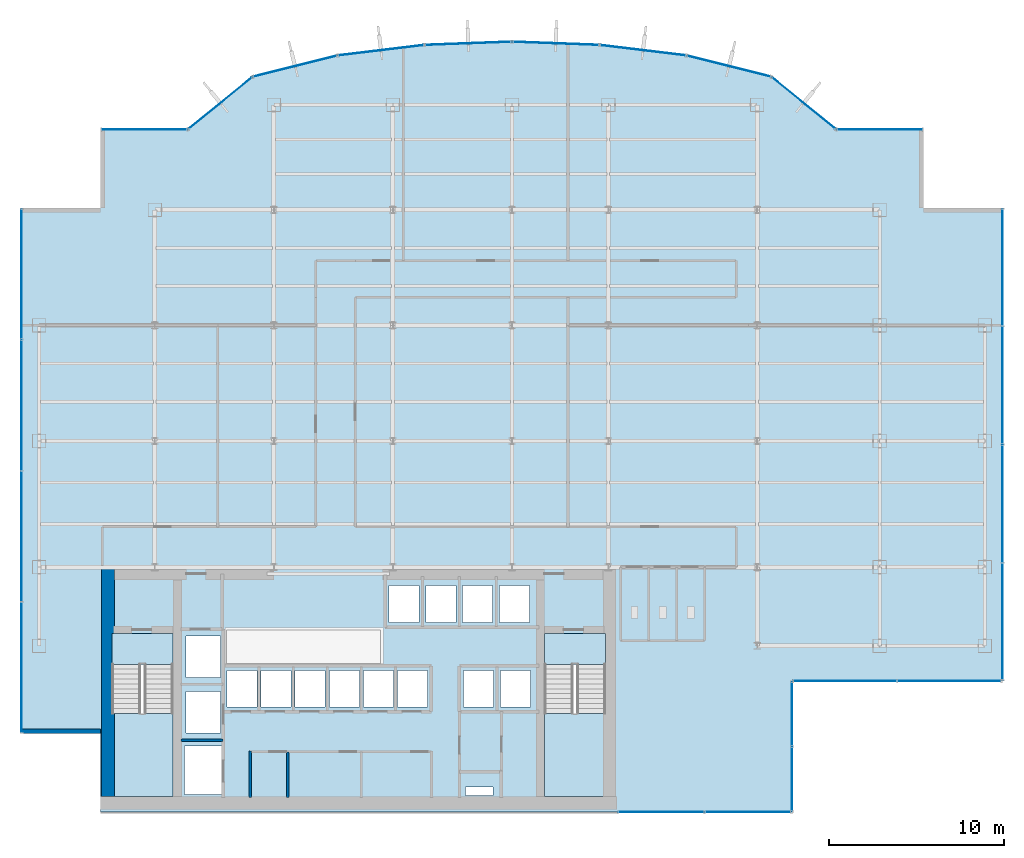
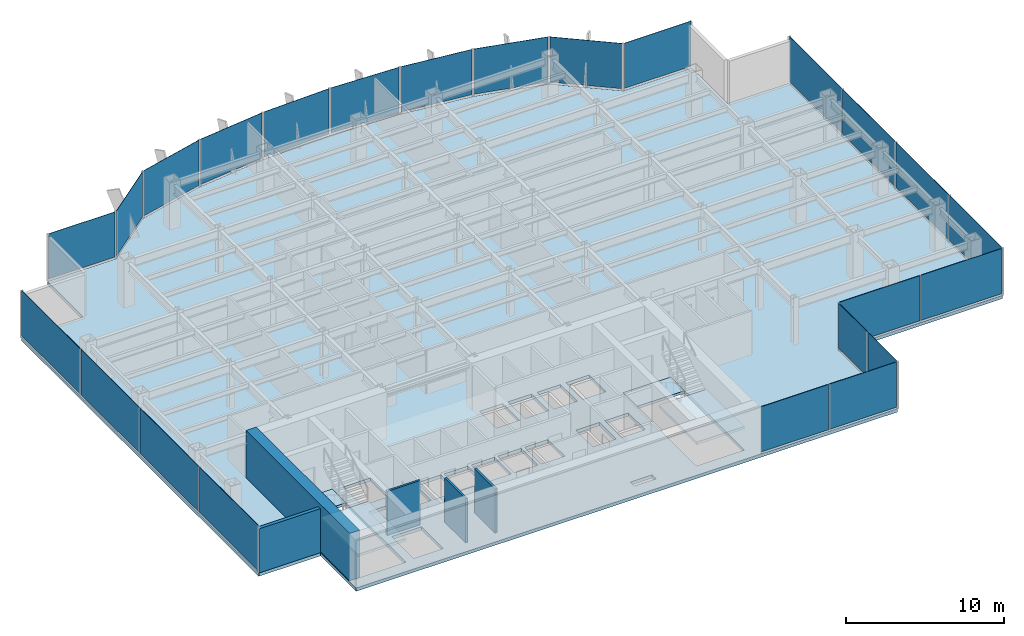
# One storey, part 20 of 26: 24 plates, 5 slabs, 5 walls, 17 elements without a shape of their own.
"""IFC4 building model written with IfcOpenShell, lengths in metres."""

from ifc_helpers import new_model, si_unit, derived_unit, direction, frame, frame_2d, origin, origin_2d, place, context, subcontext, project, spatial, polyline, rectangle, outline, extrude, source, transform, mapped, material, layer, layer_set, type_object, element, aggregate, save


model = new_model("IFC4")

# Units and contexts
model_context = context("Model", 3, precision=1e-05, world=origin(), true_north=direction((0.0, 1.0)))
body_context = subcontext(model_context, "Body", "Model", "MODEL_VIEW")
ifc_project = project(units=[si_unit("LENGTHUNIT", "METRE"), si_unit("AREAUNIT", "SQUARE_METRE"), si_unit("VOLUMEUNIT", "CUBIC_METRE"), si_unit("PLANEANGLEUNIT", "RADIAN"), si_unit("MASSUNIT", "GRAM", prefix="KILO"), derived_unit("THERMALTRANSMITTANCEUNIT", [(si_unit("POWERUNIT", "WATT"), 1), (si_unit("LENGTHUNIT", "METRE"), -2), (si_unit("THERMODYNAMICTEMPERATUREUNIT", "KELVIN"), -1)])], contexts=[model_context])

# Site, building, storey
site_placement = place(None, origin())
site = spatial("IfcSite", under=ifc_project, at=site_placement, CompositionType="ELEMENT")
building_placement = place(site_placement, origin())
building = spatial("IfcBuilding", under=site, at=building_placement, Name="Skarnbrae Concourse Arena and Tower", CompositionType="ELEMENT")
storey_placement = place(building_placement, frame((0.0, 0.0, 128.800048828125)))
storey = spatial("IfcBuildingStorey", under=building, at=storey_placement, Name="L32", CompositionType="ELEMENT", Elevation=128.800048828125)

# Stair, slab
ifc_material_1 = material(Name="Concrete 40 MPa (C40/50)", Category="concrete")
stair_type = type_object("IfcStairType", Name="STAIR-DOGLEG-1650", PredefinedType="HALF_TURN_STAIR", material=ifc_material_1)
stair_1_placement = place(storey_placement, origin())
stair_1 = element("IfcStair", 1, at=stair_1_placement, inside=storey, type_object=stair_type, Name="L32 Protected Exit Stair ST-1", PredefinedType="HALF_TURN_STAIR")
ifc_layer_1 = layer(ifc_material_1, 0.199951171875)
ifc_layer_set_1 = layer_set([ifc_layer_1], Name="Concrete 40 MPa (C40/50)")
slab_type_1 = type_object("IfcSlabType", Name="SLAB-LANDING-200", PredefinedType="LANDING", material=ifc_layer_set_1)
slab_1_placement = place(storey_placement, frame((0.0, 0.0, 1.625)))
slab_1 = element("IfcSlab", 2, at=slab_1_placement, type_object=slab_type_1, Name="ST-1 landing 1", PredefinedType="LANDING", context=body_context, shape_type="SweptSolid", body=[
    extrude(outline(polyline([(5.14990234375, 5.64990234375), (5.14990234375, 0.89990234375), (8.64990234375, 0.89990234375), (8.64990234375, 5.64990234375), (5.14990234375, 5.64990234375)])), origin(), (0.0, 0.0, 1.0), 0.199951171875),
])
aggregate(stair_1, [slab_1])

stair_2_placement = place(storey_placement, origin())
stair_2 = element("IfcStair", 3, at=stair_2_placement, inside=storey, type_object=stair_type, Name="L32 Protected Exit Stair ST-2", PredefinedType="HALF_TURN_STAIR")
slab_2_placement = place(storey_placement, frame((0.0, 0.0, 1.625)))
slab_2 = element("IfcSlab", 4, at=slab_2_placement, type_object=slab_type_1, Name="ST-2 landing 1", PredefinedType="LANDING", context=body_context, shape_type="SweptSolid", body=[
    extrude(outline(polyline([(29.85009765625, 5.64990234375), (29.85009765625, 0.89990234375), (33.35009765625, 0.89990234375), (33.35009765625, 5.64990234375), (29.85009765625, 5.64990234375)])), origin(), (0.0, 0.0, 1.0), 0.199951171875),
])
aggregate(stair_2, [slab_2])

# Slabs
slab_3_placement = place(storey_placement, frame((0.0, 0.0, -0.199951171875)))
element("IfcSlab", 5, at=slab_3_placement, inside=storey, type_object=slab_type_1, Name="L32 Core stair ST1 floor landing", PredefinedType="LANDING", context=body_context, shape_type="SweptSolid", body=[
    extrude(outline(polyline([(5.14990234375, 10.199951171875), (5.14990234375, 8.449951171875), (8.64990234375, 8.449951171875), (8.64990234375, 10.199951171875), (5.14990234375, 10.199951171875)])), origin(), (0.0, 0.0, 1.0), 0.199951171875),
])
slab_4_placement = place(storey_placement, frame((0.0, 0.0, -0.199951171875)))
element("IfcSlab", 6, at=slab_4_placement, inside=storey, type_object=slab_type_1, Name="L32 Core stair ST2 floor landing", PredefinedType="LANDING", context=body_context, shape_type="SweptSolid", body=[
    extrude(outline(polyline([(29.85009765625, 10.199951171875), (29.85009765625, 8.449951171875), (33.35009765625, 8.449951171875), (33.35009765625, 10.199951171875), (29.85009765625, 10.199951171875)])), origin(), (0.0, 0.0, 1.0), 0.199951171875),
])
ifc_layer_2 = layer(ifc_material_1, 0.25)
ifc_layer_set_2 = layer_set([ifc_layer_2], Name="Concrete 40 MPa (C40/50)")
slab_type_2 = type_object("IfcSlabType", Name="SLAB-TOWER-250", PredefinedType="FLOOR", material=ifc_layer_set_2)
slab_5_placement = place(storey_placement, frame((0.0, 0.0, -0.25)))
element("IfcSlab", 7, at=slab_5_placement, inside=storey, type_object=slab_type_2, Name="L32 Structural floor slab", PredefinedType="FLOOR", context=body_context, shape_type="SweptSolid", body=[
    extrude(outline(polyline([(4.5, 0.0), (44.0, 0.0), (44.0, 7.5), (56.0, 7.5), (56.0, 34.5), (51.5, 34.5), (51.5, 39.0), (46.5, 39.0), (42.81103515625, 41.99609375), (37.964111328125, 43.212890625), (32.998779296875, 43.81396484375), (28.0, 44.0), (23.001220703125, 43.81396484375), (18.035888671875, 43.212890625), (13.18896484375, 41.99609375), (9.5, 39.0), (4.5, 39.0), (4.5, 34.5), (0.0, 34.5), (0.0, 4.5), (4.5, 4.5), (4.5, 0.0)]), holes=[polyline([(9.294921875, 3.780029296875), (11.455078125, 3.780029296875), (11.455078125, 1.02001953125), (9.294921875, 1.02001953125), (9.294921875, 3.780029296875)]), polyline([(8.64990234375, 10.199951171875), (8.64990234375, 0.89990234375), (5.14990234375, 0.89990234375), (5.14990234375, 10.199951171875), (8.64990234375, 10.199951171875)]), polyline([(9.39501953125, 6.8798828125), (11.35498046875, 6.8798828125), (11.35498046875, 4.52001953125), (9.39501953125, 4.52001953125), (9.39501953125, 6.8798828125)]), polyline([(11.719970703125, 8.10498046875), (13.429931640625, 8.10498046875), (13.429931640625, 5.9951171875), (11.719970703125, 5.9951171875), (11.719970703125, 8.10498046875)]), polyline([(13.669921875, 8.10498046875), (15.3798828125, 8.10498046875), (15.3798828125, 5.9951171875), (13.669921875, 5.9951171875), (13.669921875, 8.10498046875)]), polyline([(15.6201171875, 8.10498046875), (17.330078125, 8.10498046875), (17.330078125, 5.9951171875), (15.6201171875, 5.9951171875), (15.6201171875, 8.10498046875)]), polyline([(17.570068359375, 8.10498046875), (19.280029296875, 8.10498046875), (19.280029296875, 5.9951171875), (17.570068359375, 5.9951171875), (17.570068359375, 8.10498046875)]), polyline([(21.22998046875, 8.10498046875), (21.22998046875, 5.9951171875), (19.52001953125, 5.9951171875), (19.52001953125, 8.10498046875), (21.22998046875, 8.10498046875)]), polyline([(11.35498046875, 10.054931640625), (11.35498046875, 7.695068359375), (9.39501953125, 7.695068359375), (9.39501953125, 10.054931640625), (11.35498046875, 10.054931640625)]), polyline([(25.35009765625, 1.449951171875), (26.919921875, 1.449951171875), (26.919921875, 0.949951171875), (25.35009765625, 0.949951171875), (25.35009765625, 1.449951171875)]), polyline([(33.35009765625, 10.199951171875), (33.35009765625, 0.89990234375), (29.85009765625, 0.89990234375), (29.85009765625, 10.199951171875), (33.35009765625, 10.199951171875)]), polyline([(21.469970703125, 8.10498046875), (23.179931640625, 8.10498046875), (23.179931640625, 5.9951171875), (21.469970703125, 5.9951171875), (21.469970703125, 8.10498046875)]), polyline([(25.235107421875, 8.10498046875), (26.945068359375, 8.10498046875), (26.945068359375, 5.9951171875), (25.235107421875, 5.9951171875), (25.235107421875, 8.10498046875)]), polyline([(27.3349609375, 8.10498046875), (29.044921875, 8.10498046875), (29.044921875, 5.9951171875), (27.3349609375, 5.9951171875), (27.3349609375, 8.10498046875)]), polyline([(20.985107421875, 12.955078125), (22.695068359375, 12.955078125), (22.695068359375, 10.844970703125), (20.985107421875, 10.844970703125), (20.985107421875, 12.955078125)]), polyline([(23.0849609375, 12.955078125), (24.794921875, 12.955078125), (24.794921875, 10.844970703125), (23.0849609375, 10.844970703125), (23.0849609375, 12.955078125)]), polyline([(26.89501953125, 12.955078125), (26.89501953125, 10.844970703125), (25.18505859375, 10.844970703125), (25.18505859375, 12.955078125), (26.89501953125, 12.955078125)]), polyline([(28.9951171875, 12.955078125), (28.9951171875, 10.844970703125), (27.284912109375, 10.844970703125), (27.284912109375, 12.955078125), (28.9951171875, 12.955078125)])]), origin(), (0.0, 0.0, 1.0), 0.25),
])

# Curtain wall, plates
ifc_material_2 = material(Name="Bronze anodised aluminium 6063-T6", Category="aluminium")
curtain_wall_type = type_object("IfcCurtainWallType", Name="CW-SYS-04-MIDZONE", PredefinedType="USERDEFINED", material=ifc_material_2)
curtain_wall_1_placement = place(storey_placement, origin())
curtain_wall_1 = element("IfcCurtainWall", 8, at=curtain_wall_1_placement, inside=storey, type_object=curtain_wall_type, Name="L32 Unitised curtain wall CW-L32-SE-SPINE", ObjectType="UNITISED CURTAIN WALL", PredefinedType="USERDEFINED")
ifc_material_3 = material(Name="Low-E triple insulating glass", Category="glass")
ifc_layer_3 = layer(ifc_material_3, 0.031982421875)
ifc_layer_set_3 = layer_set([ifc_layer_3], Name="Low-E triple insulating glass")
plate_type = type_object("IfcPlateType", Name="CWP-CW-04", PredefinedType="CURTAIN_PANEL", material=ifc_layer_set_3)
shared_shape_1 = source(origin(), body_context, "Body", "SweptSolid", [
    extrude(rectangle(XDim=4.887451171875, YDim=0.031982421875, at=origin_2d()), origin(), (0.0, 0.0, 1.0), 3.489990234375),
])
plate_1_placement = place(storey_placement, frame((36.518798828125, 0.0, 0.16015625), z_axis=(0.0, 0.0, 1.0), x_axis=(1.0, 0.0, 0.0)))
plate_1 = element("IfcPlate", 9, at=plate_1_placement, type_object=plate_type, Name="CW-L32-SE-SPINE Low-E Glazing Panel 1", PredefinedType="CURTAIN_PANEL", context=body_context, shape_type="MappedRepresentation", body=[
    mapped(shared_shape_1, transform((0.0, 0.0, 0.0))),
])
plate_2_placement = place(storey_placement, frame((41.481201171875, 0.0, 0.16015625), z_axis=(0.0, 0.0, 1.0), x_axis=(1.0, 0.0, 0.0)))
plate_2 = element("IfcPlate", 10, at=plate_2_placement, type_object=plate_type, Name="CW-L32-SE-SPINE Low-E Glazing Panel 2", PredefinedType="CURTAIN_PANEL", context=body_context, shape_type="MappedRepresentation", body=[
    mapped(shared_shape_1, transform((0.0, 0.0, 0.0))),
])
aggregate(curtain_wall_1, [plate_1, plate_2])

curtain_wall_2_placement = place(storey_placement, origin())
curtain_wall_2 = element("IfcCurtainWall", 11, at=curtain_wall_2_placement, inside=storey, type_object=curtain_wall_type, Name="L32 Unitised curtain wall CW-L32-E02", ObjectType="UNITISED CURTAIN WALL", PredefinedType="USERDEFINED")
shared_shape_2 = source(origin(), body_context, "Body", "SweptSolid", [
    extrude(rectangle(XDim=3.637451171875, YDim=0.031982421875, at=origin_2d()), origin(), (0.0, 0.0, 1.0), 3.489990234375),
])
plate_3_placement = place(storey_placement, frame((44.0, 1.893798828125, 0.16015625), z_axis=(0.0, 0.0, 1.0), x_axis=(0.0, 1.0, 0.0)))
plate_3 = element("IfcPlate", 12, at=plate_3_placement, type_object=plate_type, Name="CW-L32-E02 Low-E Glazing Panel 1", PredefinedType="CURTAIN_PANEL", context=body_context, shape_type="MappedRepresentation", body=[
    mapped(shared_shape_2, transform((0.0, 0.0, 0.0))),
])
plate_4_placement = place(storey_placement, frame((44.0, 5.606201171875, 0.16015625), z_axis=(0.0, 0.0, 1.0), x_axis=(0.0, 1.0, 0.0)))
plate_4 = element("IfcPlate", 13, at=plate_4_placement, type_object=plate_type, Name="CW-L32-E02 Low-E Glazing Panel 2", PredefinedType="CURTAIN_PANEL", context=body_context, shape_type="MappedRepresentation", body=[
    mapped(shared_shape_2, transform((0.0, 0.0, 0.0))),
])
aggregate(curtain_wall_2, [plate_3, plate_4])

curtain_wall_3_placement = place(storey_placement, origin())
curtain_wall_3 = element("IfcCurtainWall", 14, at=curtain_wall_3_placement, inside=storey, type_object=curtain_wall_type, Name="L32 Unitised curtain wall CW-L32-E03", ObjectType="UNITISED CURTAIN WALL", PredefinedType="USERDEFINED")
shared_shape_3 = source(origin(), body_context, "Body", "SweptSolid", [
    extrude(rectangle(XDim=5.887451171875, YDim=0.031982421875, at=origin_2d()), origin(), (0.0, 0.0, 1.0), 3.489990234375),
])
plate_5_placement = place(storey_placement, frame((47.018798828125, 7.5, 0.16015625), z_axis=(0.0, 0.0, 1.0), x_axis=(1.0, 0.0, 0.0)))
plate_5 = element("IfcPlate", 15, at=plate_5_placement, type_object=plate_type, Name="CW-L32-E03 Low-E Glazing Panel 1", PredefinedType="CURTAIN_PANEL", context=body_context, shape_type="MappedRepresentation", body=[
    mapped(shared_shape_3, transform((0.0, 0.0, 0.0))),
])
plate_6_placement = place(storey_placement, frame((52.981201171875, 7.5, 0.16015625), z_axis=(0.0, 0.0, 1.0), x_axis=(1.0, 0.0, 0.0)))
plate_6 = element("IfcPlate", 16, at=plate_6_placement, type_object=plate_type, Name="CW-L32-E03 Low-E Glazing Panel 2", PredefinedType="CURTAIN_PANEL", context=body_context, shape_type="MappedRepresentation", body=[
    mapped(shared_shape_3, transform((0.0, 0.0, 0.0))),
])
aggregate(curtain_wall_3, [plate_5, plate_6])

# Curtain wall, plate
curtain_wall_4_placement = place(storey_placement, origin())
curtain_wall_4 = element("IfcCurtainWall", 17, at=curtain_wall_4_placement, inside=storey, type_object=curtain_wall_type, Name="L32 Unitised curtain wall CW-L32-E07", ObjectType="UNITISED CURTAIN WALL", PredefinedType="USERDEFINED")
shared_shape_4 = source(origin(), body_context, "Body", "SweptSolid", [
    extrude(rectangle(XDim=4.85009765625, YDim=0.031982421875, at=origin_2d()), origin(), (0.0, 0.0, 1.0), 3.489990234375),
])
plate_7_placement = place(storey_placement, frame((49.0, 39.0, 0.16015625), z_axis=(0.0, 0.0, 1.0), x_axis=(-1.0, 0.0, 0.0)))
plate_7 = element("IfcPlate", 18, at=plate_7_placement, type_object=plate_type, Name="CW-L32-E07 Low-E Glazing Panel 1", PredefinedType="CURTAIN_PANEL", context=body_context, shape_type="MappedRepresentation", body=[
    mapped(shared_shape_4, transform((0.0, 0.0, 0.0))),
])
aggregate(curtain_wall_4, [plate_7])

curtain_wall_5_placement = place(storey_placement, origin())
curtain_wall_5 = element("IfcCurtainWall", 19, at=curtain_wall_5_placement, inside=storey, type_object=curtain_wall_type, Name="L32 Unitised curtain wall CW-L32-E16", ObjectType="UNITISED CURTAIN WALL", PredefinedType="USERDEFINED")
plate_8_placement = place(storey_placement, frame((7.0, 39.0, 0.16015625), z_axis=(0.0, 0.0, 1.0), x_axis=(-1.0, 0.0, 0.0)))
plate_8 = element("IfcPlate", 20, at=plate_8_placement, type_object=plate_type, Name="CW-L32-E16 Low-E Glazing Panel 1", PredefinedType="CURTAIN_PANEL", context=body_context, shape_type="MappedRepresentation", body=[
    mapped(shared_shape_4, transform((0.0, 0.0, 0.0))),
])
aggregate(curtain_wall_5, [plate_8])

curtain_wall_6_placement = place(storey_placement, origin())
curtain_wall_6 = element("IfcCurtainWall", 21, at=curtain_wall_6_placement, inside=storey, type_object=curtain_wall_type, Name="L32 Unitised curtain wall CW-L32-E08", ObjectType="UNITISED CURTAIN WALL", PredefinedType="USERDEFINED")
shared_shape_5 = source(origin(), body_context, "Body", "SweptSolid", [
    extrude(rectangle(XDim=4.602294921875, YDim=0.031982421875, at=origin_2d()), origin(), (0.0, 0.0, 1.0), 3.489990234375),
])
plate_9_placement = place(storey_placement, frame((44.655517578125, 40.498046875, 0.16015625), z_axis=(0.0, 0.0, 1.0), x_axis=(-0.776241200471, 0.630436038542, 0.0)))
plate_9 = element("IfcPlate", 22, at=plate_9_placement, type_object=plate_type, Name="CW-L32-E08 Low-E Glazing Panel 1", PredefinedType="CURTAIN_PANEL", context=body_context, shape_type="MappedRepresentation", body=[
    mapped(shared_shape_5, transform((0.0, 0.0, 0.0))),
])
aggregate(curtain_wall_6, [plate_9])

curtain_wall_7_placement = place(storey_placement, origin())
curtain_wall_7 = element("IfcCurtainWall", 23, at=curtain_wall_7_placement, inside=storey, type_object=curtain_wall_type, Name="L32 Unitised curtain wall CW-L32-E15", ObjectType="UNITISED CURTAIN WALL", PredefinedType="USERDEFINED")
plate_10_placement = place(storey_placement, frame((11.344482421875, 40.498046875, 0.16015625), z_axis=(0.0, 0.0, 1.0), x_axis=(-0.776241200471, -0.630436038542, 0.0)))
plate_10 = element("IfcPlate", 24, at=plate_10_placement, type_object=plate_type, Name="CW-L32-E15 Low-E Glazing Panel 1", PredefinedType="CURTAIN_PANEL", context=body_context, shape_type="MappedRepresentation", body=[
    mapped(shared_shape_5, transform((0.0, 0.0, 0.0))),
])
aggregate(curtain_wall_7, [plate_10])

curtain_wall_8_placement = place(storey_placement, origin())
curtain_wall_8 = element("IfcCurtainWall", 25, at=curtain_wall_8_placement, inside=storey, type_object=curtain_wall_type, Name="L32 Unitised curtain wall CW-L32-E09", ObjectType="UNITISED CURTAIN WALL", PredefinedType="USERDEFINED")
shared_shape_6 = source(origin(), body_context, "Body", "SweptSolid", [
    extrude(rectangle(XDim=4.847412109375, YDim=0.031982421875, at=origin_2d()), origin(), (0.0, 0.0, 1.0), 3.489990234375),
])
plate_11_placement = place(storey_placement, frame((40.3876953125, 42.6044921875, 0.16015625), z_axis=(0.0, 0.0, 1.0), x_axis=(-0.969903046166, 0.243491439351, 0.0)))
plate_11 = element("IfcPlate", 26, at=plate_11_placement, type_object=plate_type, Name="CW-L32-E09 Low-E Glazing Panel 1", PredefinedType="CURTAIN_PANEL", context=body_context, shape_type="MappedRepresentation", body=[
    mapped(shared_shape_6, transform((0.0, 0.0, 0.0))),
])
aggregate(curtain_wall_8, [plate_11])

curtain_wall_9_placement = place(storey_placement, origin())
curtain_wall_9 = element("IfcCurtainWall", 27, at=curtain_wall_9_placement, inside=storey, type_object=curtain_wall_type, Name="L32 Unitised curtain wall CW-L32-E14", ObjectType="UNITISED CURTAIN WALL", PredefinedType="USERDEFINED")
plate_12_placement = place(storey_placement, frame((15.6123046875, 42.6044921875, 0.16015625), z_axis=(0.0, 0.0, 1.0), x_axis=(-0.969903046166, -0.243491439351, 0.0)))
plate_12 = element("IfcPlate", 28, at=plate_12_placement, type_object=plate_type, Name="CW-L32-E14 Low-E Glazing Panel 1", PredefinedType="CURTAIN_PANEL", context=body_context, shape_type="MappedRepresentation", body=[
    mapped(shared_shape_6, transform((0.0, 0.0, 0.0))),
])
aggregate(curtain_wall_9, [plate_12])

curtain_wall_10_placement = place(storey_placement, origin())
curtain_wall_10 = element("IfcCurtainWall", 29, at=curtain_wall_10_placement, inside=storey, type_object=curtain_wall_type, Name="L32 Unitised curtain wall CW-L32-E10", ObjectType="UNITISED CURTAIN WALL", PredefinedType="USERDEFINED")
shared_shape_7 = source(origin(), body_context, "Body", "SweptSolid", [
    extrude(rectangle(XDim=4.8515625, YDim=0.031982421875, at=origin_2d()), origin(), (0.0, 0.0, 1.0), 3.489990234375),
])
plate_13_placement = place(storey_placement, frame((35.4814453125, 43.513427734375, 0.16015625), z_axis=(0.0, 0.0, 1.0), x_axis=(-0.992749371969, 0.120202680731, 0.0)))
plate_13 = element("IfcPlate", 30, at=plate_13_placement, type_object=plate_type, Name="CW-L32-E10 Low-E Glazing Panel 1", PredefinedType="CURTAIN_PANEL", context=body_context, shape_type="MappedRepresentation", body=[
    mapped(shared_shape_7, transform((0.0, 0.0, 0.0))),
])
aggregate(curtain_wall_10, [plate_13])

curtain_wall_11_placement = place(storey_placement, origin())
curtain_wall_11 = element("IfcCurtainWall", 31, at=curtain_wall_11_placement, inside=storey, type_object=curtain_wall_type, Name="L32 Unitised curtain wall CW-L32-E13", ObjectType="UNITISED CURTAIN WALL", PredefinedType="USERDEFINED")
plate_14_placement = place(storey_placement, frame((20.5185546875, 43.513427734375, 0.16015625), z_axis=(0.0, 0.0, 1.0), x_axis=(-0.992749371969, -0.120202680731, 0.0)))
plate_14 = element("IfcPlate", 32, at=plate_14_placement, type_object=plate_type, Name="CW-L32-E13 Low-E Glazing Panel 1", PredefinedType="CURTAIN_PANEL", context=body_context, shape_type="MappedRepresentation", body=[
    mapped(shared_shape_7, transform((0.0, 0.0, 0.0))),
])
aggregate(curtain_wall_11, [plate_14])

curtain_wall_12_placement = place(storey_placement, origin())
curtain_wall_12 = element("IfcCurtainWall", 33, at=curtain_wall_12_placement, inside=storey, type_object=curtain_wall_type, Name="L32 Unitised curtain wall CW-L32-E11", ObjectType="UNITISED CURTAIN WALL", PredefinedType="USERDEFINED")
shared_shape_8 = source(origin(), body_context, "Body", "SweptSolid", [
    extrude(rectangle(XDim=4.852294921875, YDim=0.031982421875, at=origin_2d()), origin(), (0.0, 0.0, 1.0), 3.489990234375),
])
plate_15_placement = place(storey_placement, frame((30.49951171875, 43.906982421875, 0.16015625), z_axis=(0.0, 0.0, 1.0), x_axis=(-0.999308486252, 0.037182647889, 0.0)))
plate_15 = element("IfcPlate", 34, at=plate_15_placement, type_object=plate_type, Name="CW-L32-E11 Low-E Glazing Panel 1", PredefinedType="CURTAIN_PANEL", context=body_context, shape_type="MappedRepresentation", body=[
    mapped(shared_shape_8, transform((0.0, 0.0, 0.0))),
])
aggregate(curtain_wall_12, [plate_15])

curtain_wall_13_placement = place(storey_placement, origin())
curtain_wall_13 = element("IfcCurtainWall", 35, at=curtain_wall_13_placement, inside=storey, type_object=curtain_wall_type, Name="L32 Unitised curtain wall CW-L32-E12", ObjectType="UNITISED CURTAIN WALL", PredefinedType="USERDEFINED")
plate_16_placement = place(storey_placement, frame((25.50048828125, 43.906982421875, 0.16015625), z_axis=(0.0, 0.0, 1.0), x_axis=(-0.999308486252, -0.037182647889, 0.0)))
plate_16 = element("IfcPlate", 36, at=plate_16_placement, type_object=plate_type, Name="CW-L32-E12 Low-E Glazing Panel 1", PredefinedType="CURTAIN_PANEL", context=body_context, shape_type="MappedRepresentation", body=[
    mapped(shared_shape_8, transform((0.0, 0.0, 0.0))),
])
aggregate(curtain_wall_13, [plate_16])

# Curtain wall, plates
curtain_wall_14_placement = place(storey_placement, origin())
curtain_wall_14 = element("IfcCurtainWall", 37, at=curtain_wall_14_placement, inside=storey, type_object=curtain_wall_type, Name="L32 Unitised curtain wall CW-L32-E19", ObjectType="UNITISED CURTAIN WALL", PredefinedType="USERDEFINED")
shared_shape_9 = source(origin(), body_context, "Body", "SweptSolid", [
    extrude(rectangle(XDim=7.387451171875, YDim=0.031982421875, at=origin_2d()), origin(), (0.0, 0.0, 1.0), 3.489990234375),
])
plate_17_placement = place(storey_placement, frame((0.0, 30.731201171875, 0.16015625), z_axis=(0.0, 0.0, 1.0), x_axis=(0.0, -1.0, 0.0)))
plate_17 = element("IfcPlate", 38, at=plate_17_placement, type_object=plate_type, Name="CW-L32-E19 Low-E Glazing Panel 1", PredefinedType="CURTAIN_PANEL", context=body_context, shape_type="MappedRepresentation", body=[
    mapped(shared_shape_9, transform((0.0, 0.0, 0.0))),
])
plate_18_placement = place(storey_placement, frame((0.0, 8.268798828125, 0.16015625), z_axis=(0.0, 0.0, 1.0), x_axis=(0.0, -1.0, 0.0)))
plate_18 = element("IfcPlate", 39, at=plate_18_placement, type_object=plate_type, Name="CW-L32-E19 Low-E Glazing Panel 4", PredefinedType="CURTAIN_PANEL", context=body_context, shape_type="MappedRepresentation", body=[
    mapped(shared_shape_9, transform((0.0, 0.0, 0.0))),
])
shared_shape_10 = source(origin(), body_context, "Body", "SweptSolid", [
    extrude(rectangle(XDim=7.425048828125, YDim=0.031982421875, at=origin_2d()), origin(), (0.0, 0.0, 1.0), 3.489990234375),
])
plate_19_placement = place(storey_placement, frame((0.0, 23.25, 0.16015625), z_axis=(0.0, 0.0, 1.0), x_axis=(0.0, -1.0, 0.0)))
plate_19 = element("IfcPlate", 40, at=plate_19_placement, type_object=plate_type, Name="CW-L32-E19 Low-E Glazing Panel 2", PredefinedType="CURTAIN_PANEL", context=body_context, shape_type="MappedRepresentation", body=[
    mapped(shared_shape_10, transform((0.0, 0.0, 0.0))),
])
plate_20_placement = place(storey_placement, frame((0.0, 15.75, 0.16015625), z_axis=(0.0, 0.0, 1.0), x_axis=(0.0, -1.0, 0.0)))
plate_20 = element("IfcPlate", 41, at=plate_20_placement, type_object=plate_type, Name="CW-L32-E19 Low-E Glazing Panel 3", PredefinedType="CURTAIN_PANEL", context=body_context, shape_type="MappedRepresentation", body=[
    mapped(shared_shape_10, transform((0.0, 0.0, 0.0))),
])
aggregate(curtain_wall_14, [plate_17, plate_19, plate_20, plate_18])

curtain_wall_15_placement = place(storey_placement, origin())
curtain_wall_15 = element("IfcCurtainWall", 42, at=curtain_wall_15_placement, inside=storey, type_object=curtain_wall_type, Name="L32 Unitised curtain wall CW-L32-E04", ObjectType="UNITISED CURTAIN WALL", PredefinedType="USERDEFINED")
shared_shape_11 = source(origin(), body_context, "Body", "SweptSolid", [
    extrude(rectangle(XDim=6.637451171875, YDim=0.031982421875, at=origin_2d()), origin(), (0.0, 0.0, 1.0), 3.489990234375),
])
plate_21_placement = place(storey_placement, frame((56.0, 10.893798828125, 0.16015625), z_axis=(0.0, 0.0, 1.0), x_axis=(0.0, 1.0, 0.0)))
plate_21 = element("IfcPlate", 43, at=plate_21_placement, type_object=plate_type, Name="CW-L32-E04 Low-E Glazing Panel 1", PredefinedType="CURTAIN_PANEL", context=body_context, shape_type="MappedRepresentation", body=[
    mapped(shared_shape_11, transform((0.0, 0.0, 0.0))),
])
plate_22_placement = place(storey_placement, frame((56.0, 31.106201171875, 0.16015625), z_axis=(0.0, 0.0, 1.0), x_axis=(0.0, 1.0, 0.0)))
plate_22 = element("IfcPlate", 44, at=plate_22_placement, type_object=plate_type, Name="CW-L32-E04 Low-E Glazing Panel 4", PredefinedType="CURTAIN_PANEL", context=body_context, shape_type="MappedRepresentation", body=[
    mapped(shared_shape_11, transform((0.0, 0.0, 0.0))),
])
shared_shape_12 = source(origin(), body_context, "Body", "SweptSolid", [
    extrude(rectangle(XDim=6.675048828125, YDim=0.031982421875, at=origin_2d()), origin(), (0.0, 0.0, 1.0), 3.489990234375),
])
plate_23_placement = place(storey_placement, frame((56.0, 17.625, 0.16015625), z_axis=(0.0, 0.0, 1.0), x_axis=(0.0, 1.0, 0.0)))
plate_23 = element("IfcPlate", 45, at=plate_23_placement, type_object=plate_type, Name="CW-L32-E04 Low-E Glazing Panel 2", PredefinedType="CURTAIN_PANEL", context=body_context, shape_type="MappedRepresentation", body=[
    mapped(shared_shape_12, transform((0.0, 0.0, 0.0))),
])
plate_24_placement = place(storey_placement, frame((56.0, 24.375, 0.16015625), z_axis=(0.0, 0.0, 1.0), x_axis=(0.0, 1.0, 0.0)))
plate_24 = element("IfcPlate", 46, at=plate_24_placement, type_object=plate_type, Name="CW-L32-E04 Low-E Glazing Panel 3", PredefinedType="CURTAIN_PANEL", context=body_context, shape_type="MappedRepresentation", body=[
    mapped(shared_shape_12, transform((0.0, 0.0, 0.0))),
])
aggregate(curtain_wall_15, [plate_21, plate_23, plate_24, plate_22])

# Walls
ifc_material_4 = material(Name="Concrete 60 MPa (C60/75)", Category="concrete")
ifc_layer_4 = layer(ifc_material_4, 0.75)
ifc_layer_set_4 = layer_set([ifc_layer_4], Name="Concrete 60 MPa (C60/75)")
wall_type_1 = type_object("IfcWallType", Name="WALL-CORE-750-C60", PredefinedType="SHEAR", material=ifc_layer_set_4)
shared_shape_13 = source(origin(), body_context, "Body", "SweptSolid", [
    extrude(rectangle(XDim=13.10009765625, YDim=0.75, at=frame_2d((6.550048828125, 0.0))), origin(), (0.0, 0.0, 1.0), 3.64990234375),
])
wall_1_placement = place(storey_placement, frame((4.925048828125, 0.89990234375, 0.0), z_axis=(0.0, 0.0, 1.0), x_axis=(0.0, 1.0, 0.0)))
element("IfcWall", 47, at=wall_1_placement, inside=storey, type_object=wall_type_1, Name="L32 Rear core shear wall CW-W", PredefinedType="SHEAR", context=body_context, shape_type="MappedRepresentation", body=[
    mapped(shared_shape_13, transform((0.0, 0.0, 0.0))),
])
ifc_material_5 = material(Name="Precast concrete 40 MPa (C40/50)", Category="concrete")
ifc_layer_5 = layer(ifc_material_5, 0.25)
ifc_layer_set_5 = layer_set([ifc_layer_5], Name="Precast concrete 40 MPa (C40/50)")
wall_type_2 = type_object("IfcWallType", Name="WALL-EXT-SPANDREL-250", PredefinedType="STANDARD", material=ifc_layer_set_5)
shared_shape_14 = source(origin(), body_context, "Body", "SweptSolid", [
    extrude(rectangle(XDim=4.5, YDim=0.25, at=frame_2d((2.25, 0.0))), origin(), (0.0, 0.0, 1.0), 3.39990234375),
])
wall_2_placement = place(storey_placement, frame((0.0, 4.625, 0.0), z_axis=(0.0, 0.0, 1.0), x_axis=(1.0, 0.0, 0.0)))
element("IfcWall", 48, at=wall_2_placement, inside=storey, type_object=wall_type_2, Name="L32 Notched corner insulated return wall 20", PredefinedType="STANDARD", context=body_context, shape_type="MappedRepresentation", body=[
    mapped(shared_shape_14, transform((0.0, 0.0, 0.0))),
])
ifc_material_6 = material(Name="Gypsum board on cold-formed steel studs", Category="steel")
ifc_layer_6 = layer(ifc_material_6, 0.14990234375)
ifc_layer_set_6 = layer_set([ifc_layer_6], Name="Gypsum board on cold-formed steel studs")
wall_type_3 = type_object("IfcWallType", Name="WALL-PART-150", PredefinedType="PARTITIONING", material=ifc_layer_set_6)
shared_shape_15 = source(origin(), body_context, "Body", "SweptSolid", [
    extrude(rectangle(XDim=2.39990234375, YDim=0.14990234375, at=frame_2d((1.199951171875, 0.0))), origin(), (0.0, 0.0, 1.0), 3.39990234375),
])
wall_3_placement = place(storey_placement, frame((9.10009765625, 4.10009765625, 0.0), z_axis=(0.0, 0.0, 1.0), x_axis=(1.0, 0.0, 0.0)))
element("IfcWall", 49, at=wall_3_placement, inside=storey, type_object=wall_type_3, Name="L32 Interior partition wall W-L32-FL-D1", PredefinedType="PARTITIONING", context=body_context, shape_type="MappedRepresentation", body=[
    mapped(shared_shape_15, transform((0.0, 0.0, 0.0))),
])
shared_shape_16 = source(origin(), body_context, "Body", "SweptSolid", [
    extrude(rectangle(XDim=2.599853515625, YDim=0.14990234375, at=frame_2d((1.2998046875, 0.0))), origin(), (0.0, 0.0, 1.0), 3.39990234375),
])
wall_4_placement = place(storey_placement, frame((15.199951171875, 0.85009765625, 0.0), z_axis=(0.0, 0.0, 1.0), x_axis=(0.0, 1.0, 0.0)))
element("IfcWall", 50, at=wall_4_placement, inside=storey, type_object=wall_type_3, Name="L32 Interior partition wall W-L32-B1M-C1", PredefinedType="PARTITIONING", context=body_context, shape_type="MappedRepresentation", body=[
    mapped(shared_shape_16, transform((0.0, 0.0, 0.0))),
])
ifc_layer_7 = layer(ifc_material_6, 0.14990234375)
ifc_layer_set_7 = layer_set([ifc_layer_7], Name="Gypsum board on cold-formed steel studs")
wall_type_4 = type_object("IfcWallType", Name="WALL-PART-150-1HR", PredefinedType="PARTITIONING", material=ifc_layer_set_7)
shared_shape_17 = source(origin(), body_context, "Body", "SweptSolid", [
    extrude(rectangle(XDim=2.64990234375, YDim=0.14990234375, at=frame_2d((1.324951171875, 0.0))), origin(), (0.0, 0.0, 1.0), 3.39990234375),
])
wall_5_placement = place(storey_placement, frame((13.050048828125, 0.85009765625, 0.0), z_axis=(0.0, 0.0, 1.0), x_axis=(0.0, 1.0, 0.0)))
element("IfcWall", 51, at=wall_5_placement, inside=storey, type_object=wall_type_4, Name="L32 Interior partition wall W-L32-B1M-W", PredefinedType="PARTITIONING", context=body_context, shape_type="MappedRepresentation", body=[
    mapped(shared_shape_17, transform((0.0, 0.0, 0.0))),
])

save(model, "model.ifc")
